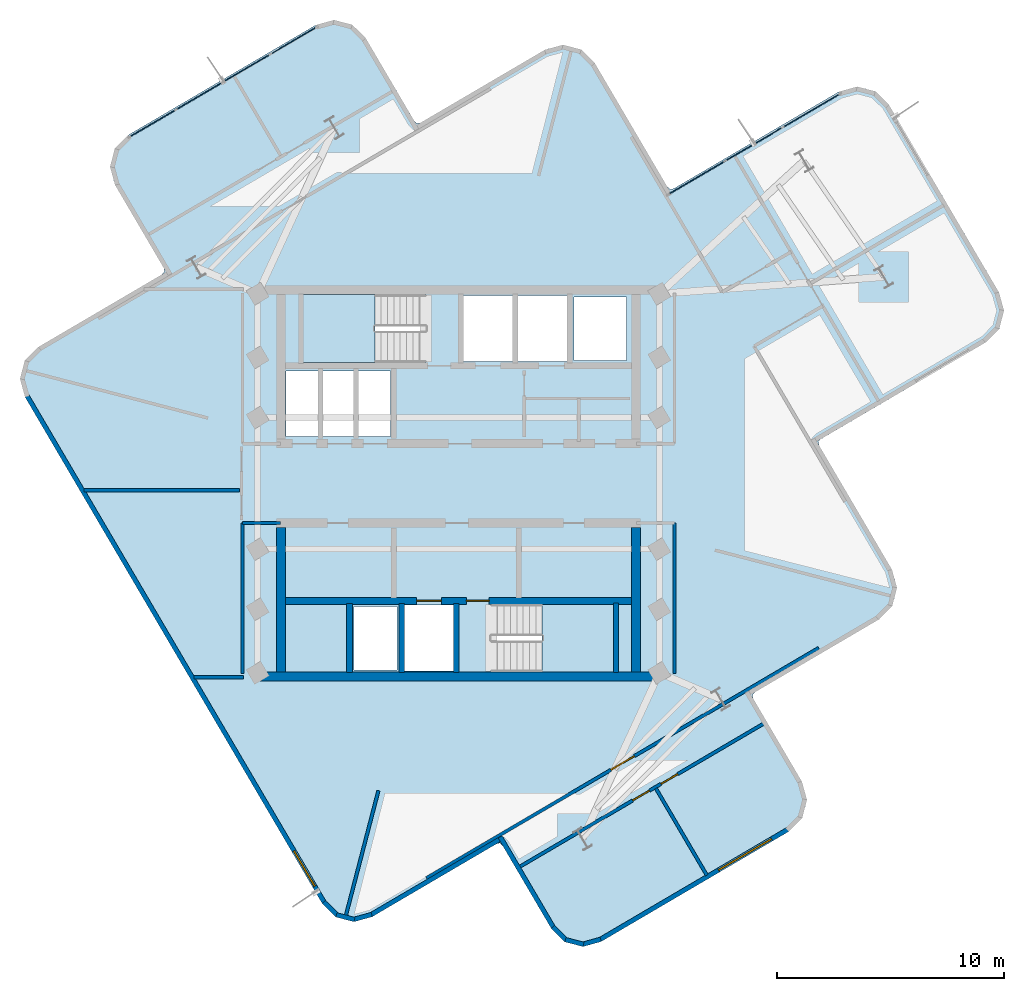
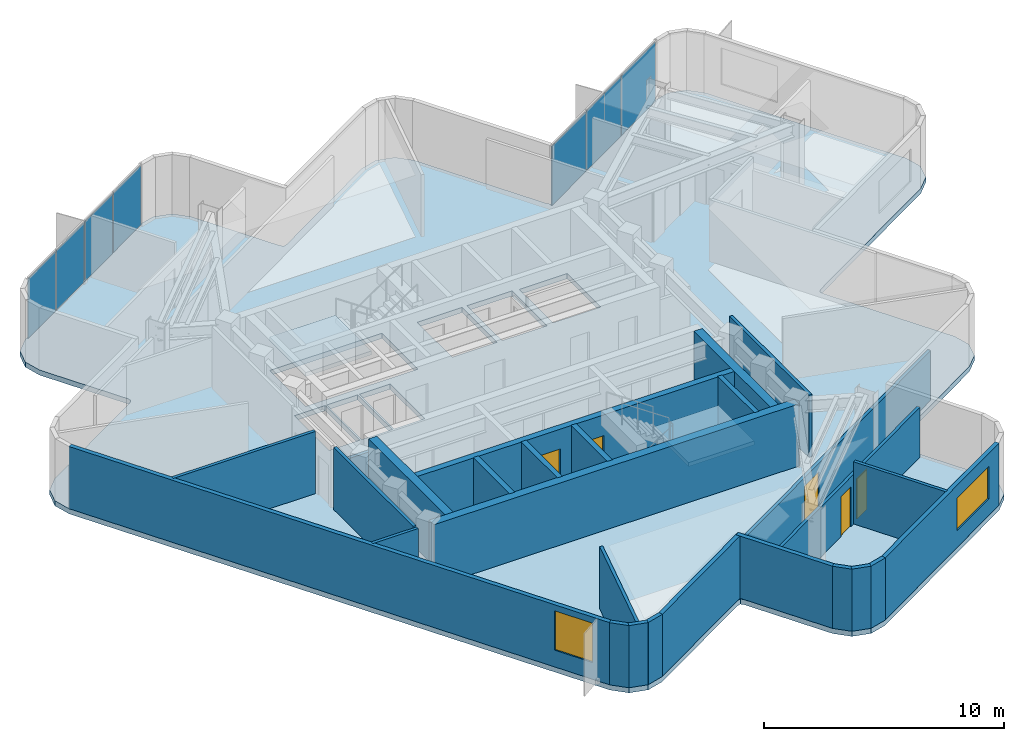
# One storey, part 3 of 8: 27 walls, 7 plates, 5 doors, 3 slabs, 2 windows, 7 openings, 4 elements without a shape of their own.
"""IFC4 building model written with IfcOpenShell, lengths in metres."""

from ifc_helpers import new_model, si_unit, direction, frame, frame_2d, origin, origin_2d, place, context, subcontext, project, spatial, polyline, rectangle, outline, extrude, material, layer, layer_set, type_object, element, fill, aggregate, save


model = new_model("IFC4")

# Units and contexts
model_context = context("Model", 3, precision=1e-05, world=origin(), true_north=direction((0.0, 1.0)))
body_context = subcontext(model_context, "Body", "Model", "MODEL_VIEW")
ifc_project = project(units=[si_unit("LENGTHUNIT", "METRE"), si_unit("AREAUNIT", "SQUARE_METRE"), si_unit("VOLUMEUNIT", "CUBIC_METRE"), si_unit("PLANEANGLEUNIT", "RADIAN"), si_unit("MASSUNIT", "GRAM", prefix="KILO")], contexts=[model_context])

# Site, building, storey
site_placement = place(None, origin())
site = spatial("IfcSite", under=ifc_project, at=site_placement, CompositionType="ELEMENT")
building_placement = place(site_placement, origin())
building = spatial("IfcBuilding", under=site, at=building_placement, Name="Solmarez Civic Tower", CompositionType="ELEMENT")
storey_placement = place(building_placement, frame((0.0, 0.0, 205.199951171875)))
storey = spatial("IfcBuildingStorey", under=building, at=storey_placement, Name="L54", CompositionType="ELEMENT", Elevation=205.199951171875)

# Curtain wall, plates
ifc_material_1 = material(Name="Bronze Anodised Aluminium EN AW-6063 T6", Category="aluminium")
ifc_layer_1 = layer(ifc_material_1, 0.1650390625)
ifc_layer_set_1 = layer_set([ifc_layer_1], Name="Bronze Anodised Aluminium EN AW-6063 T6")
curtain_wall_type = type_object("IfcCurtainWallType", Name="CW-SYS-4", PredefinedType="NOTDEFINED", material=ifc_layer_set_1)
curtain_wall_1_placement = place(storey_placement, origin())
curtain_wall_1 = element("IfcCurtainWall", 1, at=curtain_wall_1_placement, inside=storey, type_object=curtain_wall_type, Name="L54 Stick-Built Curtain Wall 1", PredefinedType="NOTDEFINED")
ifc_material_2 = material(Name="Solar Control Low-E Laminated Vision Glass", Category="glass")
ifc_layer_2 = layer(ifc_material_2, 0.0400390625)
ifc_layer_set_2 = layer_set([ifc_layer_2], Name="Solar Control Low-E Laminated Vision Glass")
plate_type = type_object("IfcPlateType", Name="CWP-GLAZ-40", PredefinedType="CURTAIN_PANEL", material=ifc_layer_set_2)
plate_1_placement = place(storey_placement, frame((-13.473388671875, 15.862548828125, 0.070068359375), z_axis=(0.0, 0.0, 1.0), x_axis=(0.862475926662, 0.506098089236, 0.0)))
plate_1 = element("IfcPlate", 2, at=plate_1_placement, type_object=plate_type, Name="CWS4 panel 1.1", PredefinedType="CURTAIN_PANEL", context=body_context, shape_type="SweptSolid", body=[
    extrude(rectangle(XDim=2.316162109375, YDim=0.0400390625, at=origin_2d()), origin(), (0.0, 0.0, 1.0), 3.02001953125),
])
plate_2_placement = place(storey_placement, frame((-11.4111328125, 17.072509765625, 0.070068359375), z_axis=(0.0, 0.0, 1.0), x_axis=(0.862475926662, 0.506098089236, 0.0)))
plate_2 = element("IfcPlate", 3, at=plate_2_placement, type_object=plate_type, Name="CWS4 panel 2.1", PredefinedType="CURTAIN_PANEL", context=body_context, shape_type="SweptSolid", body=[
    extrude(rectangle(XDim=2.34619140625, YDim=0.0400390625, at=origin_2d()), origin(), (0.0, 0.0, 1.0), 3.02001953125),
])
plate_3_placement = place(storey_placement, frame((-9.3359375, 18.290283203125, 0.070068359375), z_axis=(0.0, 0.0, 1.0), x_axis=(0.862475926662, 0.506098089236, 0.0)))
plate_3 = element("IfcPlate", 4, at=plate_3_placement, type_object=plate_type, Name="CWS4 panel 3.1", PredefinedType="CURTAIN_PANEL", context=body_context, shape_type="SweptSolid", body=[
    extrude(rectangle(XDim=2.34619140625, YDim=0.0400390625, at=origin_2d()), origin(), (0.0, 0.0, 1.0), 3.02001953125),
])
plate_4_placement = place(storey_placement, frame((-7.273681640625, 19.50048828125, 0.070068359375), z_axis=(0.0, 0.0, 1.0), x_axis=(0.862475926662, 0.506098089236, 0.0)))
plate_4 = element("IfcPlate", 5, at=plate_4_placement, type_object=plate_type, Name="CWS4 panel 4.1", PredefinedType="CURTAIN_PANEL", context=body_context, shape_type="SweptSolid", body=[
    extrude(rectangle(XDim=2.316162109375, YDim=0.0400390625, at=origin_2d()), origin(), (0.0, 0.0, 1.0), 3.02001953125),
])
aggregate(curtain_wall_1, [plate_1, plate_2, plate_3, plate_4])

curtain_wall_2_placement = place(storey_placement, origin())
curtain_wall_2 = element("IfcCurtainWall", 6, at=curtain_wall_2_placement, inside=storey, type_object=curtain_wall_type, Name="L54 Stick-Built Curtain Wall 2", PredefinedType="NOTDEFINED")
plate_5_placement = place(storey_placement, frame((10.489990234375, 13.460205078125, 0.070068359375), z_axis=(0.0, 0.0, 1.0), x_axis=(0.862599268071, 0.50588783611, 0.0)))
plate_5 = element("IfcPlate", 7, at=plate_5_placement, type_object=plate_type, Name="CWS4 panel 1.1", PredefinedType="CURTAIN_PANEL", context=body_context, shape_type="SweptSolid", body=[
    extrude(rectangle(XDim=2.857177734375, YDim=0.0400390625, at=origin_2d()), origin(), (0.0, 0.0, 1.0), 3.02001953125),
])
plate_6_placement = place(storey_placement, frame((13.01953125, 14.943603515625, 0.070068359375), z_axis=(0.0, 0.0, 1.0), x_axis=(0.862599268071, 0.50588783611, 0.0)))
plate_6 = element("IfcPlate", 8, at=plate_6_placement, type_object=plate_type, Name="CWS4 panel 2.1", PredefinedType="CURTAIN_PANEL", context=body_context, shape_type="SweptSolid", body=[
    extrude(rectangle(XDim=2.88720703125, YDim=0.0400390625, at=origin_2d()), origin(), (0.0, 0.0, 1.0), 3.02001953125),
])
plate_7_placement = place(storey_placement, frame((15.548828125, 16.427001953125, 0.070068359375), z_axis=(0.0, 0.0, 1.0), x_axis=(0.862599268071, 0.50588783611, 0.0)))
plate_7 = element("IfcPlate", 9, at=plate_7_placement, type_object=plate_type, Name="CWS4 panel 3.1", PredefinedType="CURTAIN_PANEL", context=body_context, shape_type="SweptSolid", body=[
    extrude(rectangle(XDim=2.857177734375, YDim=0.0400390625, at=origin_2d()), origin(), (0.0, 0.0, 1.0), 3.02001953125),
])
aggregate(curtain_wall_2, [plate_5, plate_6, plate_7])

# Stair, slab
ifc_material_3 = material(Name="Concrete C50/60", Category="concrete")
stair_type = type_object("IfcStairType", Name="STAIR-DOGLEG-140W-18R-1900", PredefinedType="HALF_TURN_STAIR", material=ifc_material_3)
stair_1_placement = place(storey_placement, origin())
stair_1 = element("IfcStair", 10, at=stair_1_placement, inside=storey, type_object=stair_type, Name="L54 North Core Protected Exit Stair ST-1", PredefinedType="HALF_TURN_STAIR")
ifc_layer_3 = layer(ifc_material_3, 0.199951171875)
ifc_layer_set_3 = layer_set([ifc_layer_3], Name="Concrete C50/60")
slab_type_1 = type_object("IfcSlabType", Name="SLAB-LANDING-200", PredefinedType="LANDING", material=ifc_layer_set_3)
slab_1_placement = place(storey_placement, frame((0.0, 0.0, 1.510009765625)))
slab_1 = element("IfcSlab", 11, at=slab_1_placement, type_object=slab_type_1, Name="ST-1 landing 1", PredefinedType="LANDING", context=body_context, shape_type="SweptSolid", body=[
    extrude(outline(polyline([(-3.68994140625, 8.320068359375), (-6.85009765625, 8.320068359375), (-6.85009765625, 5.320068359375), (-3.68994140625, 5.320068359375), (-3.68994140625, 8.320068359375)])), origin(), (0.0, 0.0, 1.0), 0.199951171875),
])
aggregate(stair_1, [slab_1])

stair_2_placement = place(storey_placement, origin())
stair_2 = element("IfcStair", 12, at=stair_2_placement, inside=storey, type_object=stair_type, Name="L54 South Core Protected Exit Stair ST-2", PredefinedType="HALF_TURN_STAIR")
slab_2_placement = place(storey_placement, frame((0.0, 0.0, 1.510009765625)))
slab_2 = element("IfcSlab", 13, at=slab_2_placement, type_object=slab_type_1, Name="ST-2 landing 1", PredefinedType="LANDING", context=body_context, shape_type="SweptSolid", body=[
    extrude(outline(polyline([(3.68994140625, -8.320068359375), (6.85009765625, -8.320068359375), (6.85009765625, -5.320068359375), (3.68994140625, -5.320068359375), (3.68994140625, -8.320068359375)])), origin(), (0.0, 0.0, 1.0), 0.199951171875),
])
aggregate(stair_2, [slab_2])

# Slab
ifc_layer_4 = layer(ifc_material_3, 0.260009765625)
ifc_layer_set_4 = layer_set([ifc_layer_4], Name="Concrete C50/60")
slab_type_2 = type_object("IfcSlabType", Name="SLAB-TOWER-260", PredefinedType="FLOOR", material=ifc_layer_set_4)
slab_3_placement = place(storey_placement, frame((0.0, 0.0, -0.260009765625)))
element("IfcSlab", 14, at=slab_3_placement, inside=storey, type_object=slab_type_2, Name="L54 Structural Slab", PredefinedType="FLOOR", context=body_context, shape_type="SweptSolid", body=[
    extrude(outline(polyline([(1.948974609375, -15.969970703125), (4.094970703125, -19.6259765625), (4.68408203125, -20.2080078125), (5.486083984375, -20.4169921875), (6.283935546875, -20.197021484375), (14.56396484375, -15.339111328125), (15.14599609375, -14.7490234375), (15.35498046875, -13.947998046875), (15.135009765625, -13.14892578125), (12.989013671875, -9.492919921875), (12.944091796875, -9.326904296875), (13.06494140625, -9.2041015625), (18.531982421875, -5.99609375), (19.114013671875, -5.406982421875), (19.322998046875, -4.60498046875), (19.10302734375, -3.806884765625), (15.89501953125, 1.660888671875), (15.84912109375, 1.826904296875), (15.969970703125, 1.948974609375), (23.2490234375, 6.219970703125), (23.830078125, 6.81005859375), (24.0390625, 7.611083984375), (23.819091796875, 8.409912109375), (18.9609375, 16.68994140625), (18.3720703125, 17.27099609375), (17.570068359375, 17.47998046875), (16.77197265625, 17.260009765625), (9.492919921875, 12.989013671875), (9.326904296875, 12.944091796875), (9.2041015625, 13.06494140625), (5.99609375, 18.531982421875), (5.406982421875, 19.114013671875), (4.60498046875, 19.322998046875), (3.806884765625, 19.10302734375), (-1.660888671875, 15.89501953125), (-1.826904296875, 15.84912109375), (-1.948974609375, 15.969970703125), (-4.094970703125, 19.6259765625), (-4.68408203125, 20.2080078125), (-5.486083984375, 20.4169921875), (-6.283935546875, 20.197021484375), (-14.56396484375, 15.339111328125), (-15.14599609375, 14.7490234375), (-15.35498046875, 13.947998046875), (-15.135009765625, 13.14892578125), (-12.989013671875, 9.492919921875), (-12.944091796875, 9.326904296875), (-13.06494140625, 9.2041015625), (-18.531982421875, 5.99609375), (-19.114013671875, 5.406982421875), (-19.322998046875, 4.60498046875), (-19.10302734375, 3.806884765625), (-5.99609375, -18.531982421875), (-5.406982421875, -19.114013671875), (-4.60498046875, -19.322998046875), (-3.806884765625, -19.10302734375), (1.660888671875, -15.89501953125), (1.826904296875, -15.84912109375), (1.948974609375, -15.969970703125)]), holes=[polyline([(-1.449951171875, 8.320068359375), (-6.85009765625, 8.320068359375), (-6.85009765625, 5.320068359375), (-1.449951171875, 5.320068359375), (-1.449951171875, 8.320068359375)]), polyline([(1.449951171875, -8.320068359375), (6.85009765625, -8.320068359375), (6.85009765625, -5.320068359375), (1.449951171875, -5.320068359375), (1.449951171875, -8.320068359375)]), polyline([(0.219970703125, 5.360107421875), (2.3798828125, 5.360107421875), (2.3798828125, 8.280029296875), (0.219970703125, 8.280029296875), (0.219970703125, 5.360107421875)]), polyline([(2.6201171875, 5.360107421875), (4.780029296875, 5.360107421875), (4.780029296875, 8.280029296875), (2.6201171875, 8.280029296875), (2.6201171875, 5.360107421875)]), polyline([(-2.3798828125, -8.280029296875), (-0.219970703125, -8.280029296875), (-0.219970703125, -5.360107421875), (-2.3798828125, -5.360107421875), (-2.3798828125, -8.280029296875)]), polyline([(-7.60009765625, 2.06005859375), (-6.1201171875, 2.06005859375), (-6.1201171875, 4.9599609375), (-7.60009765625, 4.9599609375), (-7.60009765625, 2.06005859375)]), polyline([(-6.0400390625, 2.06005859375), (-4.56005859375, 2.06005859375), (-4.56005859375, 4.9599609375), (-6.0400390625, 4.9599609375), (-6.0400390625, 2.06005859375)]), polyline([(-4.47998046875, 2.06005859375), (-3.0, 2.06005859375), (-3.0, 4.9599609375), (-4.47998046875, 4.9599609375), (-4.47998046875, 2.06005859375)]), polyline([(5.10009765625, 5.419921875), (7.39990234375, 5.419921875), (7.39990234375, 8.219970703125), (5.10009765625, 8.219970703125), (5.10009765625, 5.419921875)]), polyline([(-4.60009765625, -8.219970703125), (-2.699951171875, -8.219970703125), (-2.699951171875, -5.419921875), (-4.60009765625, -5.419921875), (-4.60009765625, -8.219970703125)])]), origin(), (0.0, 0.0, 1.0), 0.260009765625),
])

# Walls
ifc_layer_5 = layer(ifc_material_3, 0.39990234375)
ifc_layer_set_5 = layer_set([ifc_layer_5], Name="Concrete C50/60")
wall_type_1 = type_object("IfcWallType", Name="WALL-CORE-400", PredefinedType="SHEAR", material=ifc_layer_set_5)
wall_1_placement = place(storey_placement, frame((8.780029296875, -8.510009765625, 0.0), z_axis=(0.0, 0.0, 1.0), x_axis=(-1.0, 0.0, 0.0)))
element("IfcWall", 15, at=wall_1_placement, inside=storey, type_object=wall_type_1, Name="L54 Split-Core Structural Wall SCW-S-L54", PredefinedType="SHEAR", context=body_context, shape_type="SweptSolid", body=[
    extrude(rectangle(XDim=17.56005859375, YDim=0.39990234375, at=frame_2d((8.780029296875, 0.0))), origin(), (0.0, 0.0, 1.0), 3.16015625),
])
for number, where, z_axis, x_axis, name in (
    (16, (-7.820068359375, -8.31005859375, 0.0), (0.0, 0.0, 1.0), (0.0, 1.0, 0.0), "L54 Split-Core Structural Wall SCW-W-L54"),
    (17, (7.820068359375, -1.949951171875, 0.0), (0.0, 0.0, 1.0), (0.0, -1.0, 0.0), "L54 Split-Core Structural Wall SCW-E-L54"),
):
    element("IfcWall", number, at=place(storey_placement, frame(where, z_axis=z_axis, x_axis=x_axis)), inside=storey, type_object=wall_type_1, Name=name, PredefinedType="SHEAR", context=body_context, shape_type="SweptSolid", body=[
        extrude(rectangle(XDim=6.360107421875, YDim=0.39990234375, at=frame_2d((3.18017578125, 0.0))), origin(), (0.0, 0.0, 1.0), 3.16015625),
    ])
ifc_material_4 = material(Name="Precast concrete C40/50", Category="concrete")
ifc_layer_6 = layer(ifc_material_4, 0.199951171875)
ifc_layer_set_6 = layer_set([ifc_layer_6], Name="Precast concrete C40/50")
wall_type_2 = type_object("IfcWallType", Name="WALL-EXT-200", PredefinedType="SOLIDWALL", material=ifc_layer_set_6)
wall_2_placement = place(storey_placement, frame((1.947998046875, -15.612060546875, 0.0), z_axis=(0.0, 0.0, 1.0), x_axis=(-0.86259717351, -0.505891407569, 0.0)))
element("IfcWall", 18, at=wall_2_placement, inside=storey, type_object=wall_type_2, Name="L54 Exterior Precast Wall 2", PredefinedType="SOLIDWALL", context=body_context, shape_type="SweptSolid", body=[
    extrude(rectangle(XDim=6.742431640625, YDim=0.199951171875, at=frame_2d((3.37109375, 0.0))), origin(), (0.0, 0.0, 1.0), 3.16015625),
])
wall_3_placement = place(storey_placement, frame((-3.822021484375, -19.0029296875, 0.0), z_axis=(0.0, 0.0, 1.0), x_axis=(-0.963905015631, -0.266246353668, 0.0)))
element("IfcWall", 19, at=wall_3_placement, inside=storey, type_object=wall_type_2, Name="L54 Exterior Precast Wall 3", PredefinedType="SOLIDWALL", context=body_context, shape_type="SweptSolid", body=[
    extrude(rectangle(XDim=0.838134765625, YDim=0.199951171875, at=frame_2d((0.4189453125, 0.0))), origin(), (0.0, 0.0, 1.0), 3.16015625),
])
wall_4_placement = place(storey_placement, frame((-4.58203125, -19.22509765625, 0.0), z_axis=(0.0, 0.0, 1.0), x_axis=(-0.967943577658, 0.251167733737, 0.0)))
element("IfcWall", 20, at=wall_4_placement, inside=storey, type_object=wall_type_2, Name="L54 Exterior Precast Wall 4", PredefinedType="SOLIDWALL", context=body_context, shape_type="SweptSolid", body=[
    extrude(rectangle(XDim=0.82421875, YDim=0.199951171875, at=frame_2d((0.412109375, 0.0))), origin(), (0.0, 0.0, 1.0), 3.16015625),
])
wall_5_placement = place(storey_placement, frame((-5.337890625, -19.0419921875, 0.0), z_axis=(0.0, 0.0, 1.0), x_axis=(-0.711310891957, 0.702877524881, 0.0)))
element("IfcWall", 21, at=wall_5_placement, inside=storey, type_object=wall_type_2, Name="L54 Exterior Precast Wall 5", PredefinedType="SOLIDWALL", context=body_context, shape_type="SweptSolid", body=[
    extrude(rectangle(XDim=0.839599609375, YDim=0.199951171875, at=frame_2d((0.419921875, 0.0))), origin(), (0.0, 0.0, 1.0), 3.16015625),
])

# Wall, opening, window
wall_6_placement = place(storey_placement, frame((-5.904052734375, -18.491943359375, 0.0), z_axis=(0.0, 0.0, 1.0), x_axis=(-0.506046465446, 0.862506217258, 0.0)))
wall_6 = element("IfcWall", 22, at=wall_6_placement, inside=storey, type_object=wall_type_2, Name="L54 Exterior Precast Wall 6", PredefinedType="SOLIDWALL", context=body_context, shape_type="SweptSolid", body=[
    extrude(rectangle(XDim=25.92431640625, YDim=0.199951171875, at=frame_2d((12.962158203125, 0.0))), origin(), (0.0, 0.0, 1.0), 3.16015625),
])
opening_1_placement = place(wall_6_placement, frame((0.85009765625, 0.0, 0.85009765625)))
opening_1 = element("IfcOpeningElement", 23, at=opening_1_placement, cuts=wall_6, Name="Opening W-04", PredefinedType="OPENING", context=body_context, shape_type="SweptSolid", body=[
    extrude(rectangle(XDim=1.800048828125, YDim=2.0, at=frame_2d((0.89990234375, 1.0))), frame((0.0, 0.10986328125, 0.0), z_axis=(0.0, -1.0, 0.0), x_axis=(1.0, 0.0, 0.0)), (0.0, 0.0, 1.0), 0.219970703125),
])
ifc_material_5 = material(Name="Solar Control Bronze-Tinted Insulating Glass", Category="glass")
window_type_1 = type_object("IfcWindowType", Name="WIN-1800X2000", PartitioningType="SINGLE_PANEL", PredefinedType="WINDOW", material=ifc_material_5)
window_1_placement = place(opening_1_placement, origin())
window_1 = element("IfcWindow", 24, at=window_1_placement, inside=storey, type_object=window_type_1, Name="L54 Exterior Facade Window 6", OverallHeight=2.0, OverallWidth=1.800048828125, PartitioningType="SINGLE_PANEL", PredefinedType="WINDOW", context=body_context, shape_type="SweptSolid", body=[
    extrude(rectangle(XDim=1.800048828125, YDim=2.0, at=frame_2d((0.89990234375, 1.0))), frame((0.0, 0.030029296875, 0.0), z_axis=(0.0, -1.0, 0.0), x_axis=(1.0, 0.0, 0.0)), (0.0, 0.0, 1.0), 0.06005859375),
])
fill(opening_1, window_1)

wall_7_placement = place(storey_placement, frame((14.52392578125, -15.24609375, 0.0), z_axis=(0.0, 0.0, 1.0), x_axis=(-0.862483422861, -0.506085314241, 0.0)))
wall_7 = element("IfcWall", 25, at=wall_7_placement, inside=storey, type_object=wall_type_2, Name="L54 Exterior Precast Wall 53", PredefinedType="SOLIDWALL", context=body_context, shape_type="SweptSolid", body=[
    extrude(rectangle(XDim=9.62451171875, YDim=0.199951171875, at=frame_2d((4.812255859375, 0.0))), origin(), (0.0, 0.0, 1.0), 3.16015625),
])
opening_2_placement = place(wall_7_placement, frame((0.85009765625, 0.0, 0.85009765625)))
opening_2 = element("IfcOpeningElement", 26, at=opening_2_placement, cuts=wall_7, Name="Opening W-09", PredefinedType="OPENING", context=body_context, shape_type="SweptSolid", body=[
    extrude(rectangle(XDim=2.699951171875, YDim=1.64990234375, at=frame_2d((1.35009765625, 0.824951171875))), frame((0.0, 0.10986328125, 0.0), z_axis=(0.0, -1.0, 0.0), x_axis=(1.0, 0.0, 0.0)), (0.0, 0.0, 1.0), 0.219970703125),
])
window_type_2 = type_object("IfcWindowType", Name="WIN-2700X1650", PartitioningType="SINGLE_PANEL", PredefinedType="WINDOW", material=ifc_material_5)
window_2_placement = place(opening_2_placement, origin())
window_2 = element("IfcWindow", 27, at=window_2_placement, inside=storey, type_object=window_type_2, Name="L54 Exterior Facade Window 53", OverallHeight=1.64990234375, OverallWidth=2.699951171875, PartitioningType="SINGLE_PANEL", PredefinedType="WINDOW", context=body_context, shape_type="SweptSolid", body=[
    extrude(rectangle(XDim=2.699951171875, YDim=1.64990234375, at=frame_2d((1.35009765625, 0.824951171875))), frame((0.0, 0.030029296875, 0.0), z_axis=(0.0, -1.0, 0.0), x_axis=(1.0, 0.0, 0.0)), (0.0, 0.0, 1.0), 0.06005859375),
])
fill(opening_2, window_2)

# Walls
wall_8_placement = place(storey_placement, frame((6.26904296875, -20.096923828125, 0.0), z_axis=(0.0, 0.0, 1.0), x_axis=(-0.963925656212, -0.266171616247, 0.0)))
element("IfcWall", 28, at=wall_8_placement, inside=storey, type_object=wall_type_2, Name="L54 Exterior Precast Wall 54", PredefinedType="SOLIDWALL", context=body_context, shape_type="SweptSolid", body=[
    extrude(rectangle(XDim=0.83837890625, YDim=0.199951171875, at=frame_2d((0.419189453125, 0.0))), origin(), (0.0, 0.0, 1.0), 3.16015625),
])
wall_9_placement = place(storey_placement, frame((5.509033203125, -20.319091796875, 0.0), z_axis=(0.0, 0.0, 1.0), x_axis=(-0.967962254737, 0.251095745493, 0.0)))
element("IfcWall", 29, at=wall_9_placement, inside=storey, type_object=wall_type_2, Name="L54 Exterior Precast Wall 55", PredefinedType="SOLIDWALL", context=body_context, shape_type="SweptSolid", body=[
    extrude(rectangle(XDim=0.824462890625, YDim=0.199951171875, at=frame_2d((0.412109375, 0.0))), origin(), (0.0, 0.0, 1.0), 3.16015625),
])
wall_10_placement = place(storey_placement, frame((4.7529296875, -20.135986328125, 0.0), z_axis=(0.0, 0.0, 1.0), x_axis=(-0.711167178618, 0.70302293281, 0.0)))
element("IfcWall", 30, at=wall_10_placement, inside=storey, type_object=wall_type_2, Name="L54 Exterior Precast Wall 56", PredefinedType="SOLIDWALL", context=body_context, shape_type="SweptSolid", body=[
    extrude(rectangle(XDim=0.83935546875, YDim=0.199951171875, at=frame_2d((0.419677734375, 0.0))), origin(), (0.0, 0.0, 1.0), 3.16015625),
])
wall_11_placement = place(storey_placement, frame((4.18701171875, -19.5859375, 0.0), z_axis=(0.0, 0.0, 1.0), x_axis=(-0.505936854923, 0.862570518178, 0.0)))
element("IfcWall", 31, at=wall_11_placement, inside=storey, type_object=wall_type_2, Name="L54 Exterior Precast Wall 57", PredefinedType="SOLIDWALL", context=body_context, shape_type="SweptSolid", body=[
    extrude(rectangle(XDim=4.640625, YDim=0.199951171875, at=frame_2d((2.3203125, 0.0))), origin(), (0.0, 0.0, 1.0), 3.16015625),
])
ifc_material_6 = material(Name="Gypsum Board Acoustic Steel-Stud Partition", Category="steel")
ifc_layer_7 = layer(ifc_material_6, 0.14990234375)
ifc_layer_set_7 = layer_set([ifc_layer_7], Name="Gypsum Board Acoustic Steel-Stud Partition")
wall_type_3 = type_object("IfcWallType", Name="WALL-INT-FIRE-150", PredefinedType="PARTITIONING", material=ifc_layer_set_7)
wall_12_placement = place(storey_placement, frame((-9.52001953125, -8.3798828125, 0.0), z_axis=(0.0, 0.0, 1.0), x_axis=(0.0, 1.0, 0.0)))
element("IfcWall", 32, at=wall_12_placement, inside=storey, type_object=wall_type_3, Name="L54 Interior Partition CHW-L54-WS1", PredefinedType="PARTITIONING", context=body_context, shape_type="SweptSolid", body=[
    extrude(rectangle(XDim=6.6298828125, YDim=0.14990234375, at=frame_2d((3.31494140625, 0.0))), origin(), (0.0, 0.0, 1.0), 3.16015625),
])
wall_13_placement = place(storey_placement, frame((-7.85009765625, -1.75, 0.0), z_axis=(0.0, 0.0, 1.0), x_axis=(-1.0, 0.0, 0.0)))
element("IfcWall", 33, at=wall_13_placement, inside=storey, type_object=wall_type_3, Name="L54 Interior Partition CHW-L54-WS3", PredefinedType="PARTITIONING", context=body_context, shape_type="SweptSolid", body=[
    extrude(rectangle(XDim=1.669921875, YDim=0.14990234375, at=frame_2d((0.8349609375, 0.0))), origin(), (0.0, 0.0, 1.0), 2.39013671875),
])
wall_14_placement = place(storey_placement, frame((9.52001953125, -8.3798828125, 0.0), z_axis=(0.0, 0.0, 1.0), x_axis=(0.0, 1.0, 0.0)))
element("IfcWall", 34, at=wall_14_placement, inside=storey, type_object=wall_type_3, Name="L54 Interior Partition CHW-L54-ES1", PredefinedType="PARTITIONING", context=body_context, shape_type="SweptSolid", body=[
    extrude(rectangle(XDim=6.6298828125, YDim=0.14990234375, at=frame_2d((3.31494140625, 0.0))), origin(), (0.0, 0.0, 1.0), 3.16015625),
])
ifc_layer_8 = layer(ifc_material_6, 0.14501953125)
ifc_layer_set_8 = layer_set([ifc_layer_8], Name="Gypsum Board Acoustic Steel-Stud Partition")
wall_type_4 = type_object("IfcWallType", Name="WALL-INT-PART-150", PredefinedType="PARTITIONING", material=ifc_layer_set_8)
wall_15_placement = place(storey_placement, frame((-16.501953125, -0.300048828125, 0.0), z_axis=(0.0, 0.0, 1.0), x_axis=(1.0, 0.0, 0.0)))
element("IfcWall", 35, at=wall_15_placement, inside=storey, type_object=wall_type_4, Name="L54 Interior Partition PT-L54-WH-DIV", PredefinedType="PARTITIONING", context=body_context, shape_type="SweptSolid", body=[
    extrude(rectangle(XDim=6.842041015625, YDim=0.14501953125, at=frame_2d((3.4208984375, 0.0))), origin(), (0.0, 0.0, 1.0), 3.16015625),
])
wall_16_placement = place(storey_placement, frame((-11.662109375, -8.550048828125, 0.0), z_axis=(0.0, 0.0, 1.0), x_axis=(1.0, 0.0, 0.0)))
element("IfcWall", 36, at=wall_16_placement, inside=storey, type_object=wall_type_4, Name="L54 Interior Partition PT-L54-WH-BS", PredefinedType="PARTITIONING", context=body_context, shape_type="SweptSolid", body=[
    extrude(rectangle(XDim=2.18212890625, YDim=0.14501953125, at=frame_2d((1.091064453125, 0.0))), origin(), (0.0, 0.0, 1.0), 3.16015625),
])
wall_17_placement = place(storey_placement, frame((-3.527099609375, -13.5400390625, 0.0), z_axis=(0.0, 0.0, 1.0), x_axis=(-0.252132617321, -0.967692690519, 0.0)))
element("IfcWall", 37, at=wall_17_placement, inside=storey, type_object=wall_type_4, Name="L54 Interior Partition PT-L54-QDIV-3", PredefinedType="PARTITIONING", context=body_context, shape_type="SweptSolid", body=[
    extrude(rectangle(XDim=5.703369140625, YDim=0.14501953125, at=frame_2d((2.8515625, 0.0))), origin(), (0.0, 0.0, 1.0), 3.16015625),
])

# Wall, opening, door
wall_18_placement = place(storey_placement, frame((15.873046875, -7.2548828125, 0.0), z_axis=(0.0, 0.0, 1.0), x_axis=(-0.862498672631, -0.506059324299, 0.0)))
wall_18 = element("IfcWall", 38, at=wall_18_placement, inside=storey, type_object=wall_type_4, Name="L54 Interior Partition PT-L54-S-ENT", PredefinedType="PARTITIONING", context=body_context, shape_type="SweptSolid", body=[
    extrude(rectangle(XDim=20.039306640625, YDim=0.14501953125, at=frame_2d((10.01953125, 0.0))), origin(), (0.0, 0.0, 1.0), 2.530029296875),
])
opening_3_placement = place(wall_18_placement, frame((9.419921875, 0.0, 0.0)))
opening_3 = element("IfcOpeningElement", 39, at=opening_3_placement, cuts=wall_18, Name="Opening D-11", PredefinedType="OPENING", context=body_context, shape_type="SweptSolid", body=[
    extrude(rectangle(XDim=1.199951171875, YDim=2.10009765625, at=frame_2d((0.60009765625, 1.050048828125))), frame((0.0, 0.08251953125, 0.0), z_axis=(0.0, -1.0, 0.0), x_axis=(1.0, 0.0, 0.0)), (0.0, 0.0, 1.0), 0.1650390625),
])
ifc_material_7 = material(Name="Glazed-Vision Acoustic Chamber Door", Category="wood")
door_type_1 = type_object("IfcDoorType", Name="DOOR-INT-1200", OperationType="NOTDEFINED", PredefinedType="DOOR", material=ifc_material_7)
door_1_placement = place(opening_3_placement, origin())
door_1 = element("IfcDoor", 40, at=door_1_placement, inside=storey, type_object=door_type_1, Name="L54 Staff Pantry First South Door", OperationType="SINGLE_SWING_LEFT", OverallHeight=2.10009765625, OverallWidth=1.199951171875, PredefinedType="DOOR", context=body_context, shape_type="SweptSolid", body=[
    extrude(rectangle(XDim=1.199951171875, YDim=2.10009765625, at=frame_2d((0.60009765625, 1.050048828125))), frame((0.0, 0.02490234375, 0.0), z_axis=(0.0, -1.0, 0.0), x_axis=(1.0, 0.0, 0.0)), (0.0, 0.0, 1.0), 0.050048828125),
])
fill(opening_3, door_1)

# Wall
wall_19_placement = place(storey_placement, frame((8.699951171875, -13.446044921875, 0.0), z_axis=(0.0, 0.0, 1.0), x_axis=(0.506043007476, -0.862508246097, 0.0)))
element("IfcWall", 41, at=wall_19_placement, inside=storey, type_object=wall_type_4, Name="L54 Interior Partition PT-L54-S-TM3", PredefinedType="PARTITIONING", context=body_context, shape_type="SweptSolid", body=[
    extrude(rectangle(XDim=4.4345703125, YDim=0.14501953125, at=frame_2d((2.21728515625, 0.0))), origin(), (0.0, 0.0, 1.0), 3.16015625),
])

# Wall, openings, doors
wall_20_placement = place(storey_placement, frame((2.68798828125, -16.904052734375, 0.0), z_axis=(0.0, 0.0, 1.0), x_axis=(0.862497334811, 0.506061604396, 0.0)))
wall_20 = element("IfcWall", 42, at=wall_20_placement, inside=storey, type_object=wall_type_4, Name="L54 Interior Partition PT-L54-S-SCUT", PredefinedType="PARTITIONING", context=body_context, shape_type="SweptSolid", body=[
    extrude(rectangle(XDim=12.470947265625, YDim=0.14501953125, at=frame_2d((6.2353515625, 0.0))), origin(), (0.0, 0.0, 1.0), 2.530029296875),
])
opening_4_placement = place(wall_20_placement, frame((5.784912109375, 0.0, 0.0)))
opening_4 = element("IfcOpeningElement", 43, at=opening_4_placement, cuts=wall_20, Name="Opening D-14", PredefinedType="OPENING", context=body_context, shape_type="SweptSolid", body=[
    extrude(rectangle(XDim=0.860107421875, YDim=2.0400390625, at=frame_2d((0.43017578125, 1.02001953125))), frame((0.0, 0.08251953125, 0.0), z_axis=(0.0, -1.0, 0.0), x_axis=(1.0, 0.0, 0.0)), (0.0, 0.0, 1.0), 0.1650390625),
])
opening_5_placement = place(wall_20_placement, frame((7.22509765625, 0.0, 0.0)))
opening_5 = element("IfcOpeningElement", 44, at=opening_5_placement, cuts=wall_20, Name="Opening D-14", PredefinedType="OPENING", context=body_context, shape_type="SweptSolid", body=[
    extrude(rectangle(XDim=0.860107421875, YDim=2.0400390625, at=frame_2d((0.43017578125, 1.02001953125))), frame((0.0, 0.08251953125, 0.0), z_axis=(0.0, -1.0, 0.0), x_axis=(1.0, 0.0, 0.0)), (0.0, 0.0, 1.0), 0.1650390625),
])
ifc_material_8 = material(Name="Timber Storage and Pantry Door", Category="wood")
door_type_2 = type_object("IfcDoorType", Name="DOOR-INT-850", OperationType="NOTDEFINED", PredefinedType="DOOR", material=ifc_material_8)
door_2_placement = place(opening_4_placement, origin())
door_2 = element("IfcDoor", 45, at=door_2_placement, inside=storey, type_object=door_type_2, Name="L54 Policy Boardroom Third South Door", OperationType="SINGLE_SWING_RIGHT", OverallHeight=2.0400390625, OverallWidth=0.860107421875, PredefinedType="DOOR", context=body_context, shape_type="SweptSolid", body=[
    extrude(rectangle(XDim=0.860107421875, YDim=2.0400390625, at=frame_2d((0.43017578125, 1.02001953125))), frame((0.0, 0.02490234375, 0.0), z_axis=(0.0, -1.0, 0.0), x_axis=(1.0, 0.0, 0.0)), (0.0, 0.0, 1.0), 0.050048828125),
])
fill(opening_4, door_2)
door_3_placement = place(opening_5_placement, origin())
door_3 = element("IfcDoor", 46, at=door_3_placement, inside=storey, type_object=door_type_2, Name="L54 Directorate Office Second South Door", OperationType="SINGLE_SWING_LEFT", OverallHeight=2.0400390625, OverallWidth=0.860107421875, PredefinedType="DOOR", context=body_context, shape_type="SweptSolid", body=[
    extrude(rectangle(XDim=0.860107421875, YDim=2.0400390625, at=frame_2d((0.43017578125, 1.02001953125))), frame((0.0, 0.02490234375, 0.0), z_axis=(0.0, -1.0, 0.0), x_axis=(1.0, 0.0, 0.0)), (0.0, 0.0, 1.0), 0.050048828125),
])
fill(opening_5, door_3)

ifc_layer_9 = layer(ifc_material_3, 0.300048828125)
ifc_layer_set_9 = layer_set([ifc_layer_9], Name="Concrete C50/60")
wall_type_5 = type_object("IfcWallType", Name="WALL-STR-300", PredefinedType="SOLIDWALL", material=ifc_layer_set_9)
wall_21_placement = place(storey_placement, frame((-7.6201171875, -5.179931640625, 0.0), z_axis=(0.0, 0.0, 1.0), x_axis=(1.0, 0.0, 0.0)))
wall_21 = element("IfcWall", 47, at=wall_21_placement, inside=storey, type_object=wall_type_5, Name="L54 Split-Core Structural Wall SCW-M-L54", PredefinedType="SOLIDWALL", context=body_context, shape_type="SweptSolid", body=[
    extrude(rectangle(XDim=15.240234375, YDim=0.300048828125, at=frame_2d((7.6201171875, 0.0))), origin(), (0.0, 0.0, 1.0), 3.16015625),
])
opening_6_placement = place(wall_21_placement, frame((5.77001953125, 0.0, 0.0)))
opening_6 = element("IfcOpeningElement", 48, at=opening_6_placement, cuts=wall_21, Name="Opening LD-02", PredefinedType="OPENING", context=body_context, shape_type="SweptSolid", body=[
    extrude(rectangle(XDim=1.10009765625, YDim=2.14990234375, at=frame_2d((0.550048828125, 1.074951171875))), frame((0.0, 0.159912109375, 0.0), z_axis=(0.0, -1.0, 0.0), x_axis=(1.0, 0.0, 0.0)), (0.0, 0.0, 1.0), 0.320068359375),
])
opening_7_placement = place(wall_21_placement, frame((7.969970703125, 0.0, 0.0)))
opening_7 = element("IfcOpeningElement", 49, at=opening_7_placement, cuts=wall_21, Name="Opening D-05", PredefinedType="OPENING", context=body_context, shape_type="SweptSolid", body=[
    extrude(rectangle(XDim=1.0, YDim=2.10009765625, at=frame_2d((0.5, 1.050048828125))), frame((0.0, 0.159912109375, 0.0), z_axis=(0.0, -1.0, 0.0), x_axis=(1.0, 0.0, 0.0)), (0.0, 0.0, 1.0), 0.320068359375),
])
ifc_material_9 = material(Name="Fire-Rated Stairwell Exit Door", Category="wood")
door_type_3 = type_object("IfcDoorType", Name="DOOR-FD90-1000", OperationType="NOTDEFINED", PredefinedType="DOOR", material=ifc_material_9)
door_4_placement = place(opening_7_placement, origin())
door_4 = element("IfcDoor", 50, at=door_4_placement, inside=storey, type_object=door_type_3, Name="L54 South Exit Stair Door ST-2", OperationType="SINGLE_SWING_RIGHT", OverallHeight=2.10009765625, OverallWidth=1.0, PredefinedType="DOOR", context=body_context, shape_type="SweptSolid", body=[
    extrude(rectangle(XDim=1.0, YDim=2.10009765625, at=frame_2d((0.5, 1.050048828125))), frame((0.0, 0.02490234375, 0.0), z_axis=(0.0, -1.0, 0.0), x_axis=(1.0, 0.0, 0.0)), (0.0, 0.0, 1.0), 0.050048828125),
])
fill(opening_7, door_4)
ifc_material_10 = material(Name="Stainless Firefighting Lift Landing Sliding Door", Category="aluminium")
door_type_4 = type_object("IfcDoorType", Name="DOOR-LD-FF-1100", OperationType="DOUBLE_DOOR_SLIDING", PredefinedType="DOOR", material=ifc_material_10)
door_5_placement = place(opening_6_placement, origin())
door_5 = element("IfcDoor", 51, at=door_5_placement, inside=storey, type_object=door_type_4, Name="L54 Firefighting Lift Landing Door FFL-2", OperationType="DOUBLE_DOOR_SLIDING", OverallHeight=2.14990234375, OverallWidth=1.10009765625, PredefinedType="DOOR", context=body_context, shape_type="SweptSolid", body=[
    extrude(rectangle(XDim=1.10009765625, YDim=2.14990234375, at=frame_2d((0.550048828125, 1.074951171875))), frame((0.0, 0.02490234375, 0.0), z_axis=(0.0, -1.0, 0.0), x_axis=(1.0, 0.0, 0.0)), (0.0, 0.0, 1.0), 0.050048828125),
])
fill(opening_6, door_5)

# Walls
wall_22_placement = place(storey_placement, frame((6.949951171875, -8.340087890625, 0.0), z_axis=(0.0, 0.0, 1.0), x_axis=(0.0, 1.0, 0.0)))
element("IfcWall", 52, at=wall_22_placement, inside=storey, type_object=wall_type_5, Name="L54 Split-Core Structural Wall SHW-SE-L54", PredefinedType="SOLIDWALL", context=body_context, shape_type="SweptSolid", body=[
    extrude(rectangle(XDim=3.06005859375, YDim=0.219970703125, at=frame_2d((1.530029296875, 0.0))), origin(), (0.0, 0.0, 1.0), 3.16015625),
])
for number, where, z_axis, x_axis, name in (
    (53, (-0.10009765625, -8.340087890625, 0.0), (0.0, 0.0, 1.0), (0.0, 1.0, 0.0), "L54 Split-Core Structural Wall SHW-S1-L54"),
    (54, (-2.5, -8.340087890625, 0.0), (0.0, 0.0, 1.0), (0.0, 1.0, 0.0), "L54 Split-Core Structural Wall SHW-S2-L54"),
    (55, (-4.800048828125, -8.340087890625, 0.0), (0.0, 0.0, 1.0), (0.0, 1.0, 0.0), "L54 Split-Core Structural Wall SHW-S3-L54"),
):
    element("IfcWall", number, at=place(storey_placement, frame(where, z_axis=z_axis, x_axis=x_axis)), inside=storey, type_object=wall_type_5, Name=name, PredefinedType="SOLIDWALL", context=body_context, shape_type="SweptSolid", body=[
        extrude(rectangle(XDim=3.0400390625, YDim=0.25, at=frame_2d((1.52001953125, 0.0))), origin(), (0.0, 0.0, 1.0), 3.16015625),
    ])

save(model, "model.ifc")
